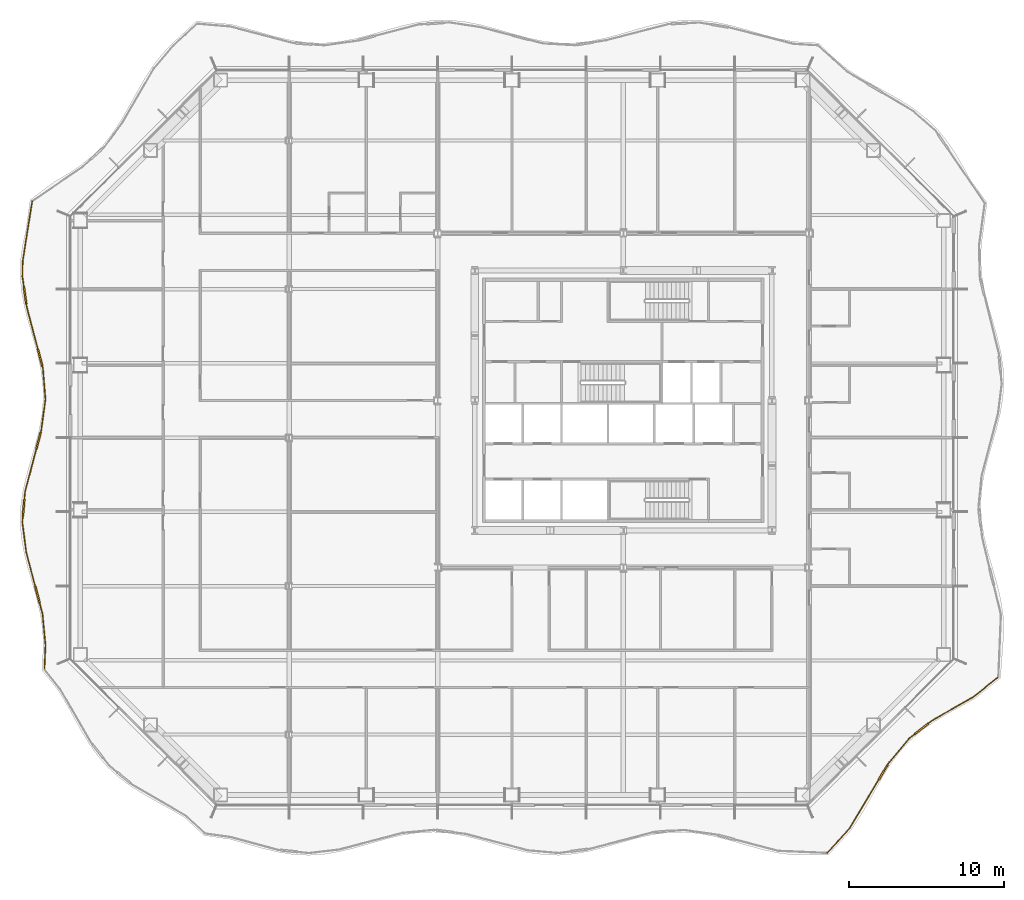
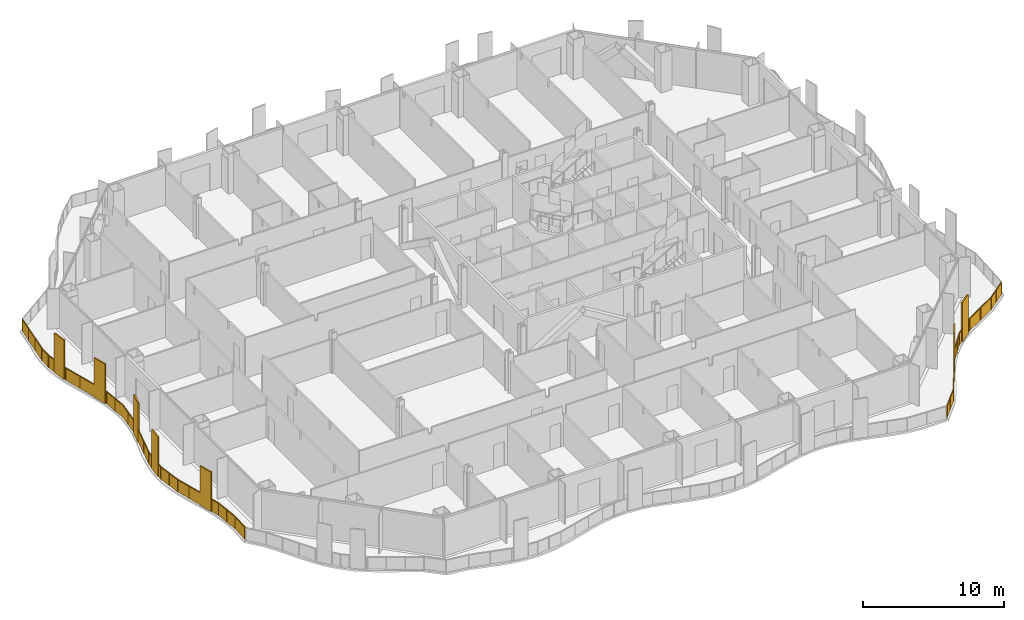
# One storey, part 17 of 21: 2 railings.
"""IFC4 building model written with IfcOpenShell, lengths in metres."""

from ifc_helpers import new_model, si_unit, direction, frame, origin, origin_2d, place, context, subcontext, project, spatial, polyline, rectangle, outline, extrude, material, type_object, element, save


model = new_model("IFC4")

# Units and contexts
model_context = context("Model", 3, precision=1e-05, world=origin(), true_north=direction((0.0, 1.0)))
body_context = subcontext(model_context, "Body", "Model", "MODEL_VIEW")
ifc_project = project(units=[si_unit("LENGTHUNIT", "METRE"), si_unit("AREAUNIT", "SQUARE_METRE"), si_unit("VOLUMEUNIT", "CUBIC_METRE"), si_unit("PLANEANGLEUNIT", "RADIAN"), si_unit("MASSUNIT", "GRAM", prefix="KILO")], contexts=[model_context])

# Site, building, storey
site_placement = place(None, origin())
site = spatial("IfcSite", under=ifc_project, at=site_placement, CompositionType="ELEMENT")
building_placement = place(site_placement, origin())
building = spatial("IfcBuilding", under=site, at=building_placement, Name="Cairn Pilgrim Tower", CompositionType="ELEMENT")
storey_placement = place(building_placement, frame((0.0, 0.0, 69.0)))
storey = spatial("IfcBuildingStorey", under=building, at=storey_placement, Name="L15", CompositionType="ELEMENT", Elevation=69.0)

# Railings
ifc_material = material(Name="Bronze anodised aluminium rail, posts and fin screens with laminated glass infill", Category="aluminium")
railing_type = type_object("IfcRailingType", Name="BALCONY GUARD WITH FIN SCREENS", PredefinedType="GUARDRAIL", material=ifc_material)
railing_1_placement = place(storey_placement, frame((20.37548828125, -26.837890625, 0.0)))
element("IfcRailing", 1, at=railing_1_placement, inside=storey, type_object=railing_type, Name="Balcony guard BGF-2 with fin screens", PredefinedType="GUARDRAIL", context=body_context, shape_type="SweptSolid", body=[
    extrude(rectangle(XDim=0.050048828125, YDim=0.050048828125, at=origin_2d()), frame((0.0, 0.0, 1.0751953125), z_axis=(0.675474937984, 0.737382945393, 0.0), x_axis=(-0.737382945393, 0.675474937984, 0.0)), (0.0, 0.0, 1.0), 2.12548828125),
    extrude(rectangle(XDim=1.10009765625, YDim=0.110107421875, at=origin_2d()), frame((3.609619140625, 5.19921875, 0.0), z_axis=(0.0, 0.0, 1.0), x_axis=(0.51356837374, 0.85804867315, 0.0)), (0.0, 0.0, 1.0), 3.39990234375),
    extrude(rectangle(XDim=0.050048828125, YDim=0.050048828125, at=origin_2d()), frame((1.435791015625, 1.5673828125, 1.0751953125), z_axis=(0.51356837374, 0.85804867315, 0.0), x_axis=(-0.85804867315, 0.51356837374, 0.0)), (0.0, 0.0, 1.0), 3.682861328125),
    extrude(rectangle(XDim=0.050048828125, YDim=0.050048828125, at=origin_2d()), frame((3.89208984375, 5.671142578125, 1.0751953125), z_axis=(0.51356837374, 0.85804867315, 0.0), x_axis=(-0.85804867315, 0.51356837374, 0.0)), (0.0, 0.0, 1.0), 0.212890625),
    extrude(rectangle(XDim=0.050048828125, YDim=0.050048828125, at=origin_2d()), frame((4.00146484375, 5.85400390625, 1.0751953125), z_axis=(0.640779953557, 0.767724593275, 0.0), x_axis=(-0.767724593275, 0.640779953557, 0.0)), (0.0, 0.0, 1.0), 1.97509765625),
    extrude(rectangle(XDim=1.10009765625, YDim=0.110107421875, at=origin_2d()), frame((6.095458984375, 8.01708984375, 0.0), z_axis=(0.0, 0.0, 1.0), x_axis=(0.788256003965, 0.615347440243, 0.0)), (0.0, 0.0, 1.0), 3.39990234375),
    extrude(rectangle(XDim=0.050048828125, YDim=0.050048828125, at=origin_2d()), frame((5.26708984375, 7.370361328125, 1.0751953125), z_axis=(0.788256003965, 0.615347440243, 0.0), x_axis=(-0.615347440243, 0.788256003965, 0.0)), (0.0, 0.0, 1.0), 0.5009765625),
    extrude(rectangle(XDim=0.050048828125, YDim=0.050048828125, at=origin_2d()), frame((6.529052734375, 8.35546875, 1.0751953125), z_axis=(0.788256003965, 0.615347440243, 0.0), x_axis=(-0.615347440243, 0.788256003965, 0.0)), (0.0, 0.0, 1.0), 0.3798828125),
    extrude(rectangle(XDim=0.050048828125, YDim=0.050048828125, at=origin_2d()), frame((6.82861328125, 8.58935546875, 1.0751953125), z_axis=(0.869019215745, 0.494778336901, 0.0), x_axis=(-0.494778336901, 0.869019215745, 0.0)), (0.0, 0.0, 1.0), 3.015869140625),
    extrude(rectangle(XDim=0.050048828125, YDim=0.050048828125, at=origin_2d()), frame((9.449462890625, 10.08154296875, 1.0751953125), z_axis=(0.781215343513, 0.6242616335, 0.0), x_axis=(-0.6242616335, 0.781215343513, 0.0)), (0.0, 0.0, 1.0), 1.99267578125),
    extrude(rectangle(XDim=0.050048828125, YDim=0.050048828125, at=origin_2d()), origin(), (0.0, 0.0, 1.0), 1.050048828125),
    extrude(rectangle(XDim=0.050048828125, YDim=0.050048828125, at=origin_2d()), frame((0.7177734375, 0.78369140625, 0.0)), (0.0, 0.0, 1.0), 1.050048828125),
    extrude(rectangle(XDim=0.050048828125, YDim=0.050048828125, at=origin_2d()), frame((1.435791015625, 1.5673828125, 0.0)), (0.0, 0.0, 1.0), 1.050048828125),
    extrude(rectangle(XDim=0.050048828125, YDim=0.050048828125, at=origin_2d()), frame((2.06201171875, 2.613525390625, 0.0)), (0.0, 0.0, 1.0), 1.050048828125),
    extrude(rectangle(XDim=0.050048828125, YDim=0.050048828125, at=origin_2d()), frame((2.688232421875, 3.65966796875, 0.0)), (0.0, 0.0, 1.0), 1.050048828125),
    extrude(rectangle(XDim=0.050048828125, YDim=0.050048828125, at=origin_2d()), frame((3.314208984375, 4.705810546875, 0.0)), (0.0, 0.0, 1.0), 1.050048828125),
    extrude(rectangle(XDim=0.050048828125, YDim=0.050048828125, at=origin_2d()), frame((3.905029296875, 5.692626953125, 0.0)), (0.0, 0.0, 1.0), 1.050048828125),
    extrude(rectangle(XDim=0.050048828125, YDim=0.050048828125, at=origin_2d()), frame((4.00146484375, 5.85400390625, 0.0)), (0.0, 0.0, 1.0), 1.050048828125),
    extrude(rectangle(XDim=0.050048828125, YDim=0.050048828125, at=origin_2d()), frame((4.63427734375, 6.6123046875, 0.0)), (0.0, 0.0, 1.0), 1.050048828125),
    extrude(rectangle(XDim=0.050048828125, YDim=0.050048828125, at=origin_2d()), frame((5.26708984375, 7.370361328125, 0.0)), (0.0, 0.0, 1.0), 1.050048828125),
    extrude(rectangle(XDim=0.050048828125, YDim=0.050048828125, at=origin_2d()), frame((5.642333984375, 7.663330078125, 0.0)), (0.0, 0.0, 1.0), 1.050048828125),
    extrude(rectangle(XDim=0.050048828125, YDim=0.050048828125, at=origin_2d()), frame((6.548828125, 8.370849609375, 0.0)), (0.0, 0.0, 1.0), 1.050048828125),
    extrude(rectangle(XDim=0.050048828125, YDim=0.050048828125, at=origin_2d()), frame((6.82861328125, 8.58935546875, 0.0)), (0.0, 0.0, 1.0), 1.050048828125),
    extrude(rectangle(XDim=0.050048828125, YDim=0.050048828125, at=origin_2d()), frame((8.13916015625, 9.33544921875, 0.0)), (0.0, 0.0, 1.0), 1.050048828125),
    extrude(rectangle(XDim=0.050048828125, YDim=0.050048828125, at=origin_2d()), frame((9.449462890625, 10.08154296875, 0.0)), (0.0, 0.0, 1.0), 1.050048828125),
    extrude(rectangle(XDim=0.050048828125, YDim=0.050048828125, at=origin_2d()), frame((10.227783203125, 10.70361328125, 0.0)), (0.0, 0.0, 1.0), 1.050048828125),
    extrude(rectangle(XDim=0.050048828125, YDim=0.050048828125, at=origin_2d()), frame((11.006103515625, 11.325439453125, 0.0)), (0.0, 0.0, 1.0), 1.050048828125),
    extrude(outline(polyline([(0.02490234375, 0.0), (1.037841796875, 0.0), (1.037841796875, 1.050048828125), (0.02490234375, 1.050048828125), (0.02490234375, 0.0)])), frame((-0.00439453125, 0.004150390625, 0.0), z_axis=(0.737382945393, -0.675474937984, 0.0), x_axis=(0.675474937984, 0.737382945393, 0.0)), (0.0, 0.0, 1.0), 0.011962890625),
    extrude(outline(polyline([(0.02490234375, 0.0), (1.037841796875, 0.0), (1.037841796875, 1.050048828125), (0.02490234375, 1.050048828125), (0.02490234375, 0.0)])), frame((0.71337890625, 0.787841796875, 0.0), z_axis=(0.737382945393, -0.675474937984, 0.0), x_axis=(0.675474937984, 0.737382945393, 0.0)), (0.0, 0.0, 1.0), 0.011962890625),
    extrude(outline(polyline([(0.02490234375, 0.0), (1.1943359375, 0.0), (1.1943359375, 1.050048828125), (0.02490234375, 1.050048828125), (0.02490234375, 0.0)])), frame((1.4306640625, 1.570556640625, 0.0), z_axis=(0.85804867315, -0.51356837374, 0.0), x_axis=(0.51356837374, 0.85804867315, 0.0)), (0.0, 0.0, 1.0), 0.011962890625),
    extrude(outline(polyline([(0.02490234375, 0.0), (1.1943359375, 0.0), (1.1943359375, 1.050048828125), (0.02490234375, 1.050048828125), (0.02490234375, 0.0)])), frame((2.056884765625, 2.61669921875, 0.0), z_axis=(0.85804867315, -0.51356837374, 0.0), x_axis=(0.51356837374, 0.85804867315, 0.0)), (0.0, 0.0, 1.0), 0.011962890625),
    extrude(outline(polyline([(0.02490234375, 0.0), (1.1943359375, 0.0), (1.1943359375, 1.050048828125), (0.02490234375, 1.050048828125), (0.02490234375, 0.0)])), frame((2.68310546875, 3.662841796875, 0.0), z_axis=(0.85804867315, -0.51356837374, 0.0), x_axis=(0.51356837374, 0.85804867315, 0.0)), (0.0, 0.0, 1.0), 0.011962890625),
    extrude(outline(polyline([(0.02490234375, 0.0), (0.162841796875, 0.0), (0.162841796875, 1.050048828125), (0.02490234375, 1.050048828125), (0.02490234375, 0.0)])), frame((3.89990234375, 5.69580078125, 0.0), z_axis=(0.85804867315, -0.51356837374, 0.0), x_axis=(0.51356837374, 0.85804867315, 0.0)), (0.0, 0.0, 1.0), 0.011962890625),
    extrude(outline(polyline([(0.02490234375, 0.0), (0.962646484375, 0.0), (0.962646484375, 1.050048828125), (0.02490234375, 1.050048828125), (0.02490234375, 0.0)])), frame((3.996826171875, 5.85791015625, 0.0), z_axis=(0.767724593275, -0.640779953557, 0.0), x_axis=(0.640779953557, 0.767724593275, 0.0)), (0.0, 0.0, 1.0), 0.011962890625),
    extrude(outline(polyline([(0.02490234375, 0.0), (0.962646484375, 0.0), (0.962646484375, 1.050048828125), (0.02490234375, 1.050048828125), (0.02490234375, 0.0)])), frame((4.629638671875, 6.615966796875, 0.0), z_axis=(0.767724593275, -0.640779953557, 0.0), x_axis=(0.640779953557, 0.767724593275, 0.0)), (0.0, 0.0, 1.0), 0.011962890625),
    extrude(outline(polyline([(0.02490234375, 0.0), (0.450927734375, 0.0), (0.450927734375, 1.050048828125), (0.02490234375, 1.050048828125), (0.02490234375, 0.0)])), frame((5.263427734375, 7.375, 0.0), z_axis=(0.615347440243, -0.788256003965, 0.0), x_axis=(0.788256003965, 0.615347440243, 0.0)), (0.0, 0.0, 1.0), 0.011962890625),
    extrude(outline(polyline([(0.02490234375, 0.0), (0.329833984375, 0.0), (0.329833984375, 1.050048828125), (0.02490234375, 1.050048828125), (0.02490234375, 0.0)])), frame((6.545166015625, 8.375732421875, 0.0), z_axis=(0.615347440243, -0.788256003965, 0.0), x_axis=(0.788256003965, 0.615347440243, 0.0)), (0.0, 0.0, 1.0), 0.011962890625),
    extrude(outline(polyline([(0.02490234375, 0.0), (1.48291015625, 0.0), (1.48291015625, 1.050048828125), (0.02490234375, 1.050048828125), (0.02490234375, 0.0)])), frame((6.82568359375, 8.594482421875, 0.0), z_axis=(0.494778336901, -0.869019215745, 0.0), x_axis=(0.869019215745, 0.494778336901, 0.0)), (0.0, 0.0, 1.0), 0.011962890625),
    extrude(outline(polyline([(0.02490234375, 0.0), (1.48291015625, 0.0), (1.48291015625, 1.050048828125), (0.02490234375, 1.050048828125), (0.02490234375, 0.0)])), frame((8.135986328125, 9.340576171875, 0.0), z_axis=(0.494778336901, -0.869019215745, 0.0), x_axis=(0.869019215745, 0.494778336901, 0.0)), (0.0, 0.0, 1.0), 0.011962890625),
    extrude(outline(polyline([(0.02490234375, 0.0), (0.97119140625, 0.0), (0.97119140625, 1.050048828125), (0.02490234375, 1.050048828125), (0.02490234375, 0.0)])), frame((9.44580078125, 10.086181640625, 0.0), z_axis=(0.6242616335, -0.781215343513, 0.0), x_axis=(0.781215343513, 0.6242616335, 0.0)), (0.0, 0.0, 1.0), 0.011962890625),
    extrude(outline(polyline([(0.02490234375, 0.0), (0.97119140625, 0.0), (0.97119140625, 1.050048828125), (0.02490234375, 1.050048828125), (0.02490234375, 0.0)])), frame((10.22412109375, 10.708251953125, 0.0), z_axis=(0.6242616335, -0.781215343513, 0.0), x_axis=(0.781215343513, 0.6242616335, 0.0)), (0.0, 0.0, 1.0), 0.011962890625),
])
railing_2_placement = place(storey_placement, frame((-31.0087890625, 15.28466796875, 0.0)))
element("IfcRailing", 2, at=railing_2_placement, inside=storey, type_object=railing_type, Name="Balcony guard BGF-7 with fin screens", PredefinedType="GUARDRAIL", context=body_context, shape_type="SweptSolid", body=[
    extrude(rectangle(XDim=0.050048828125, YDim=0.050048828125, at=origin_2d()), frame((0.0, 0.0, 1.0751953125), z_axis=(-0.156406455903, -0.9876927764, 0.0), x_axis=(0.9876927764, -0.156406455903, 0.0)), (0.0, 0.0, 1.0), 3.92578125),
    extrude(rectangle(XDim=0.050048828125, YDim=0.050048828125, at=origin_2d()), frame((-0.614013671875, -3.87744140625, 1.0751953125), z_axis=(-0.02237307582, -0.999749691412, 0.0), x_axis=(0.999749691412, -0.02237307582, 0.0)), (0.0, 0.0, 1.0), 0.97119140625),
    extrude(rectangle(XDim=1.10009765625, YDim=0.110107421875, at=origin_2d()), frame((-0.4619140625, -6.0927734375, 0.0), z_axis=(0.0, 0.0, 1.0), x_axis=(0.138406514383, -0.990375502916, 0.0)), (0.0, 0.0, 1.0), 3.39990234375),
    extrude(rectangle(XDim=0.050048828125, YDim=0.050048828125, at=origin_2d()), frame((-0.6357421875, -4.848388671875, 1.0751953125), z_axis=(0.138406514383, -0.990375502916, 0.0), x_axis=(0.990375502916, 0.138406514383, 0.0)), (0.0, 0.0, 1.0), 0.70654296875),
    extrude(rectangle(XDim=0.050048828125, YDim=0.050048828125, at=origin_2d()), frame((-0.3857421875, -6.637451171875, 1.0751953125), z_axis=(0.138406514383, -0.990375502916, 0.0), x_axis=(0.990375502916, 0.138406514383, 0.0)), (0.0, 0.0, 1.0), 0.177978515625),
    extrude(rectangle(XDim=1.10009765625, YDim=0.110107421875, at=origin_2d()), frame((0.51025390625, -10.11328125, 0.0), z_axis=(0.0, 0.0, 1.0), x_axis=(0.255323066371, -0.966855796786, 0.0)), (0.0, 0.0, 1.0), 3.39990234375),
    extrude(rectangle(XDim=0.050048828125, YDim=0.050048828125, at=origin_2d()), frame((-0.361083984375, -6.813720703125, 1.0751953125), z_axis=(0.255323066371, -0.966855796786, 0.0), x_axis=(0.966855796786, 0.255323066371, 0.0)), (0.0, 0.0, 1.0), 2.86279296875),
    extrude(rectangle(XDim=0.050048828125, YDim=0.050048828125, at=origin_2d()), frame((0.650634765625, -10.64501953125, 1.0751953125), z_axis=(0.255323066371, -0.966855796786, 0.0), x_axis=(0.966855796786, 0.255323066371, 0.0)), (0.0, 0.0, 1.0), 0.14990234375),
    extrude(rectangle(XDim=0.050048828125, YDim=0.050048828125, at=origin_2d()), frame((0.68896484375, -10.7900390625, 1.0751953125), z_axis=(0.082685844095, -0.99657566255, 0.0), x_axis=(0.99657566255, 0.082685844095, 0.0)), (0.0, 0.0, 1.0), 2.0224609375),
    extrude(rectangle(XDim=0.050048828125, YDim=0.050048828125, at=origin_2d()), frame((0.856201171875, -12.8056640625, 1.0751953125), z_axis=(-0.133148469162, -0.991096102888, 0.0), x_axis=(0.991096102888, -0.133148469162, 0.0)), (0.0, 0.0, 1.0), 2.02978515625),
    extrude(rectangle(XDim=1.10009765625, YDim=0.110107421875, at=origin_2d()), frame((0.406982421875, -15.494140625, 0.0), z_axis=(0.0, 0.0, 1.0), x_axis=(-0.25574873197, -0.966743288622, 0.0)), (0.0, 0.0, 1.0), 3.39990234375),
    extrude(rectangle(XDim=0.050048828125, YDim=0.050048828125, at=origin_2d()), frame((0.5859375, -14.8173828125, 1.0751953125), z_axis=(-0.25574873197, -0.966743288622, 0.0), x_axis=(0.966743288622, -0.25574873197, 0.0)), (0.0, 0.0, 1.0), 0.14990234375),
    extrude(rectangle(XDim=0.050048828125, YDim=0.050048828125, at=origin_2d()), frame((0.266357421875, -16.02587890625, 1.0751953125), z_axis=(-0.25574873197, -0.966743288622, 0.0), x_axis=(0.966743288622, -0.25574873197, 0.0)), (0.0, 0.0, 1.0), 2.855712890625),
    extrude(rectangle(XDim=1.10009765625, YDim=0.110107421875, at=origin_2d()), frame((-0.5556640625, -19.816650390625, 0.0), z_axis=(0.0, 0.0, 1.0), x_axis=(-0.088597323514, -0.996067524953, 0.0)), (0.0, 0.0, 1.0), 3.39990234375),
    extrude(rectangle(XDim=0.050048828125, YDim=0.050048828125, at=origin_2d()), frame((-0.464111328125, -18.78662109375, 1.0751953125), z_axis=(-0.088597323514, -0.996067524953, 0.0), x_axis=(0.996067524953, -0.088597323514, 0.0)), (0.0, 0.0, 1.0), 0.484130859375),
    extrude(rectangle(XDim=0.050048828125, YDim=0.050048828125, at=origin_2d()), frame((-0.6044921875, -20.364501953125, 1.0751953125), z_axis=(-0.088597323514, -0.996067524953, 0.0), x_axis=(0.996067524953, -0.088597323514, 0.0)), (0.0, 0.0, 1.0), 0.380615234375),
    extrude(rectangle(XDim=0.050048828125, YDim=0.050048828125, at=origin_2d()), frame((-0.63818359375, -20.74365234375, 1.0751953125), z_axis=(0.127712676102, -0.991811208024, 0.0), x_axis=(0.991811208024, 0.127712676102, 0.0)), (0.0, 0.0, 1.0), 1.9765625),
    extrude(rectangle(XDim=1.10009765625, YDim=0.110107421875, at=origin_2d()), frame((0.3408203125, -25.446044921875, 0.0), z_axis=(0.0, 0.0, 1.0), x_axis=(0.256132441806, -0.96664169797, 0.0)), (0.0, 0.0, 1.0), 3.39990234375),
    extrude(rectangle(XDim=0.050048828125, YDim=0.050048828125, at=origin_2d()), frame((-0.3857421875, -22.7041015625, 1.0751953125), z_axis=(0.256132441806, -0.96664169797, 0.0), x_axis=(0.96664169797, 0.256132441806, 0.0)), (0.0, 0.0, 1.0), 2.286376953125),
    extrude(rectangle(XDim=0.050048828125, YDim=0.050048828125, at=origin_2d()), frame((0.481689453125, -25.9775390625, 1.0751953125), z_axis=(0.256132441806, -0.96664169797, 0.0), x_axis=(0.96664169797, 0.256132441806, 0.0)), (0.0, 0.0, 1.0), 0.7255859375),
    extrude(rectangle(XDim=0.050048828125, YDim=0.050048828125, at=origin_2d()), frame((0.66748046875, -26.678955078125, 1.0751953125), z_axis=(0.09437513744, -0.995536706221, 0.0), x_axis=(0.995536706221, 0.09437513744, 0.0)), (0.0, 0.0, 1.0), 2.017822265625),
    extrude(rectangle(XDim=0.050048828125, YDim=0.050048828125, at=origin_2d()), frame((0.85791015625, -28.687744140625, 1.0751953125), z_axis=(-0.043292705357, -0.999062431314, 0.0), x_axis=(0.999062431314, -0.043292705357, 0.0)), (0.0, 0.0, 1.0), 1.53955078125),
    extrude(rectangle(XDim=0.050048828125, YDim=0.050048828125, at=origin_2d()), origin(), (0.0, 0.0, 1.0), 1.050048828125),
    extrude(rectangle(XDim=0.050048828125, YDim=0.050048828125, at=origin_2d()), frame((-0.20458984375, -1.29248046875, 0.0)), (0.0, 0.0, 1.0), 1.050048828125),
    extrude(rectangle(XDim=0.050048828125, YDim=0.050048828125, at=origin_2d()), frame((-0.409423828125, -2.5849609375, 0.0)), (0.0, 0.0, 1.0), 1.050048828125),
    extrude(rectangle(XDim=0.050048828125, YDim=0.050048828125, at=origin_2d()), frame((-0.614013671875, -3.87744140625, 0.0)), (0.0, 0.0, 1.0), 1.050048828125),
    extrude(rectangle(XDim=0.050048828125, YDim=0.050048828125, at=origin_2d()), frame((-0.6357421875, -4.848388671875, 0.0)), (0.0, 0.0, 1.0), 1.050048828125),
    extrude(rectangle(XDim=0.050048828125, YDim=0.050048828125, at=origin_2d()), frame((-0.54150390625, -5.5234375, 0.0)), (0.0, 0.0, 1.0), 1.050048828125),
    extrude(rectangle(XDim=0.050048828125, YDim=0.050048828125, at=origin_2d()), frame((-0.38232421875, -6.662353515625, 0.0)), (0.0, 0.0, 1.0), 1.050048828125),
    extrude(rectangle(XDim=0.050048828125, YDim=0.050048828125, at=origin_2d()), frame((-0.361083984375, -6.813720703125, 0.0)), (0.0, 0.0, 1.0), 1.050048828125),
    extrude(rectangle(XDim=0.050048828125, YDim=0.050048828125, at=origin_2d()), frame((0.001220703125, -8.185546875, 0.0)), (0.0, 0.0, 1.0), 1.050048828125),
    extrude(rectangle(XDim=0.050048828125, YDim=0.050048828125, at=origin_2d()), frame((0.363525390625, -9.557373046875, 0.0)), (0.0, 0.0, 1.0), 1.050048828125),
    extrude(rectangle(XDim=0.050048828125, YDim=0.050048828125, at=origin_2d()), frame((0.656982421875, -10.669189453125, 0.0)), (0.0, 0.0, 1.0), 1.050048828125),
    extrude(rectangle(XDim=0.050048828125, YDim=0.050048828125, at=origin_2d()), frame((0.68896484375, -10.7900390625, 0.0)), (0.0, 0.0, 1.0), 1.050048828125),
    extrude(rectangle(XDim=0.050048828125, YDim=0.050048828125, at=origin_2d()), frame((0.7724609375, -11.7978515625, 0.0)), (0.0, 0.0, 1.0), 1.050048828125),
    extrude(rectangle(XDim=0.050048828125, YDim=0.050048828125, at=origin_2d()), frame((0.856201171875, -12.8056640625, 0.0)), (0.0, 0.0, 1.0), 1.050048828125),
    extrude(rectangle(XDim=0.050048828125, YDim=0.050048828125, at=origin_2d()), frame((0.72119140625, -13.8115234375, 0.0)), (0.0, 0.0, 1.0), 1.050048828125),
    extrude(rectangle(XDim=0.050048828125, YDim=0.050048828125, at=origin_2d()), frame((0.5859375, -14.8173828125, 0.0)), (0.0, 0.0, 1.0), 1.050048828125),
    extrude(rectangle(XDim=0.050048828125, YDim=0.050048828125, at=origin_2d()), frame((0.553955078125, -14.938232421875, 0.0)), (0.0, 0.0, 1.0), 1.050048828125),
    extrude(rectangle(XDim=0.050048828125, YDim=0.050048828125, at=origin_2d()), frame((0.259765625, -16.050048828125, 0.0)), (0.0, 0.0, 1.0), 1.050048828125),
    extrude(rectangle(XDim=0.050048828125, YDim=0.050048828125, at=origin_2d()), frame((-0.10205078125, -17.418212890625, 0.0)), (0.0, 0.0, 1.0), 1.050048828125),
    extrude(rectangle(XDim=0.050048828125, YDim=0.050048828125, at=origin_2d()), frame((-0.464111328125, -18.78662109375, 0.0)), (0.0, 0.0, 1.0), 1.050048828125),
    extrude(rectangle(XDim=0.050048828125, YDim=0.050048828125, at=origin_2d()), frame((-0.5048828125, -19.243896484375, 0.0)), (0.0, 0.0, 1.0), 1.050048828125),
    extrude(rectangle(XDim=0.050048828125, YDim=0.050048828125, at=origin_2d()), frame((-0.606689453125, -20.389404296875, 0.0)), (0.0, 0.0, 1.0), 1.050048828125),
    extrude(rectangle(XDim=0.050048828125, YDim=0.050048828125, at=origin_2d()), frame((-0.63818359375, -20.74365234375, 0.0)), (0.0, 0.0, 1.0), 1.050048828125),
    extrude(rectangle(XDim=0.050048828125, YDim=0.050048828125, at=origin_2d()), frame((-0.511962890625, -21.723876953125, 0.0)), (0.0, 0.0, 1.0), 1.050048828125),
    extrude(rectangle(XDim=0.050048828125, YDim=0.050048828125, at=origin_2d()), frame((-0.3857421875, -22.7041015625, 0.0)), (0.0, 0.0, 1.0), 1.050048828125),
    extrude(rectangle(XDim=0.050048828125, YDim=0.050048828125, at=origin_2d()), frame((-0.09619140625, -23.797119140625, 0.0)), (0.0, 0.0, 1.0), 1.050048828125),
    extrude(rectangle(XDim=0.050048828125, YDim=0.050048828125, at=origin_2d()), frame((0.193603515625, -24.89013671875, 0.0)), (0.0, 0.0, 1.0), 1.050048828125),
    extrude(rectangle(XDim=0.050048828125, YDim=0.050048828125, at=origin_2d()), frame((0.488037109375, -26.001708984375, 0.0)), (0.0, 0.0, 1.0), 1.050048828125),
    extrude(rectangle(XDim=0.050048828125, YDim=0.050048828125, at=origin_2d()), frame((0.66748046875, -26.678955078125, 0.0)), (0.0, 0.0, 1.0), 1.050048828125),
    extrude(rectangle(XDim=0.050048828125, YDim=0.050048828125, at=origin_2d()), frame((0.7626953125, -27.683349609375, 0.0)), (0.0, 0.0, 1.0), 1.050048828125),
    extrude(rectangle(XDim=0.050048828125, YDim=0.050048828125, at=origin_2d()), frame((0.85791015625, -28.687744140625, 0.0)), (0.0, 0.0, 1.0), 1.050048828125),
    extrude(rectangle(XDim=0.050048828125, YDim=0.050048828125, at=origin_2d()), frame((0.791259765625, -30.225830078125, 0.0)), (0.0, 0.0, 1.0), 1.050048828125),
    extrude(outline(polyline([(0.02490234375, 0.0), (1.283447265625, 0.0), (1.283447265625, 1.050048828125), (0.02490234375, 1.050048828125), (0.02490234375, 0.0)])), frame((0.005859375, -0.0009765625, 0.0), z_axis=(-0.9876927764, 0.156406455903, 0.0), x_axis=(-0.156406455903, -0.9876927764, 0.0)), (0.0, 0.0, 1.0), 0.011962890625),
    extrude(outline(polyline([(0.02490234375, 0.0), (1.283447265625, 0.0), (1.283447265625, 1.050048828125), (0.02490234375, 1.050048828125), (0.02490234375, 0.0)])), frame((-0.19873046875, -1.29345703125, 0.0), z_axis=(-0.9876927764, 0.156406455903, 0.0), x_axis=(-0.156406455903, -0.9876927764, 0.0)), (0.0, 0.0, 1.0), 0.011962890625),
    extrude(outline(polyline([(0.02490234375, 0.0), (1.283447265625, 0.0), (1.283447265625, 1.050048828125), (0.02490234375, 1.050048828125), (0.02490234375, 0.0)])), frame((-0.4033203125, -2.5859375, 0.0), z_axis=(-0.9876927764, 0.156406455903, 0.0), x_axis=(-0.156406455903, -0.9876927764, 0.0)), (0.0, 0.0, 1.0), 0.011962890625),
    extrude(outline(polyline([(0.02490234375, 0.0), (0.946044921875, 0.0), (0.946044921875, 1.050048828125), (0.02490234375, 1.050048828125), (0.02490234375, 0.0)])), frame((-0.608154296875, -3.877685546875, 0.0), z_axis=(-0.999749691412, 0.02237307582, 0.0), x_axis=(-0.02237307582, -0.999749691412, 0.0)), (0.0, 0.0, 1.0), 0.011962890625),
    extrude(outline(polyline([(0.02490234375, 0.0), (0.656494140625, 0.0), (0.656494140625, 1.050048828125), (0.02490234375, 1.050048828125), (0.02490234375, 0.0)])), frame((-0.6298828125, -4.84765625, 0.0), z_axis=(-0.990375502916, -0.138406514383, 0.0), x_axis=(0.138406514383, -0.990375502916, 0.0)), (0.0, 0.0, 1.0), 0.011962890625),
    extrude(outline(polyline([(0.02490234375, 0.0), (0.1279296875, 0.0), (0.1279296875, 1.050048828125), (0.02490234375, 1.050048828125), (0.02490234375, 0.0)])), frame((-0.376220703125, -6.66162109375, 0.0), z_axis=(-0.990375502916, -0.138406514383, 0.0), x_axis=(0.138406514383, -0.990375502916, 0.0)), (0.0, 0.0, 1.0), 0.011962890625),
    extrude(outline(polyline([(0.02490234375, 0.0), (1.393798828125, 0.0), (1.393798828125, 1.050048828125), (0.02490234375, 1.050048828125), (0.02490234375, 0.0)])), frame((-0.355224609375, -6.812255859375, 0.0), z_axis=(-0.966855796786, -0.255323066371, 0.0), x_axis=(0.255323066371, -0.966855796786, 0.0)), (0.0, 0.0, 1.0), 0.011962890625),
    extrude(outline(polyline([(0.02490234375, 0.0), (1.393798828125, 0.0), (1.393798828125, 1.050048828125), (0.02490234375, 1.050048828125), (0.02490234375, 0.0)])), frame((0.007080078125, -8.18408203125, 0.0), z_axis=(-0.966855796786, -0.255323066371, 0.0), x_axis=(0.255323066371, -0.966855796786, 0.0)), (0.0, 0.0, 1.0), 0.011962890625),
    extrude(outline(polyline([(0.02490234375, 0.0), (0.099853515625, 0.0), (0.099853515625, 1.050048828125), (0.02490234375, 1.050048828125), (0.02490234375, 0.0)])), frame((0.662841796875, -10.667724609375, 0.0), z_axis=(-0.966855796786, -0.255323066371, 0.0), x_axis=(0.255323066371, -0.966855796786, 0.0)), (0.0, 0.0, 1.0), 0.011962890625),
    extrude(outline(polyline([(0.02490234375, 0.0), (0.986328125, 0.0), (0.986328125, 1.050048828125), (0.02490234375, 1.050048828125), (0.02490234375, 0.0)])), frame((0.69482421875, -10.78955078125, 0.0), z_axis=(-0.99657566255, -0.082685844095, 0.0), x_axis=(0.082685844095, -0.99657566255, 0.0)), (0.0, 0.0, 1.0), 0.011962890625),
    extrude(outline(polyline([(0.02490234375, 0.0), (0.986328125, 0.0), (0.986328125, 1.050048828125), (0.02490234375, 1.050048828125), (0.02490234375, 0.0)])), frame((0.778564453125, -11.79736328125, 0.0), z_axis=(-0.99657566255, -0.082685844095, 0.0), x_axis=(0.082685844095, -0.99657566255, 0.0)), (0.0, 0.0, 1.0), 0.011962890625),
    extrude(outline(polyline([(0.02490234375, 0.0), (0.989990234375, 0.0), (0.989990234375, 1.050048828125), (0.02490234375, 1.050048828125), (0.02490234375, 0.0)])), frame((0.862060546875, -12.806396484375, 0.0), z_axis=(-0.991096102888, 0.133148469162, 0.0), x_axis=(-0.133148469162, -0.991096102888, 0.0)), (0.0, 0.0, 1.0), 0.011962890625),
    extrude(outline(polyline([(0.02490234375, 0.0), (0.989990234375, 0.0), (0.989990234375, 1.050048828125), (0.02490234375, 1.050048828125), (0.02490234375, 0.0)])), frame((0.72705078125, -13.812255859375, 0.0), z_axis=(-0.991096102888, 0.133148469162, 0.0), x_axis=(-0.133148469162, -0.991096102888, 0.0)), (0.0, 0.0, 1.0), 0.011962890625),
    extrude(outline(polyline([(0.02490234375, 0.0), (0.099853515625, 0.0), (0.099853515625, 1.050048828125), (0.02490234375, 1.050048828125), (0.02490234375, 0.0)])), frame((0.591796875, -14.81884765625, 0.0), z_axis=(-0.966743288622, 0.25574873197, 0.0), x_axis=(-0.25574873197, -0.966743288622, 0.0)), (0.0, 0.0, 1.0), 0.011962890625),
    extrude(outline(polyline([(0.02490234375, 0.0), (1.390380859375, 0.0), (1.390380859375, 1.050048828125), (0.02490234375, 1.050048828125), (0.02490234375, 0.0)])), frame((0.265625, -16.051513671875, 0.0), z_axis=(-0.966743288622, 0.25574873197, 0.0), x_axis=(-0.25574873197, -0.966743288622, 0.0)), (0.0, 0.0, 1.0), 0.011962890625),
    extrude(outline(polyline([(0.02490234375, 0.0), (1.390380859375, 0.0), (1.390380859375, 1.050048828125), (0.02490234375, 1.050048828125), (0.02490234375, 0.0)])), frame((-0.096435546875, -17.419921875, 0.0), z_axis=(-0.966743288622, 0.25574873197, 0.0), x_axis=(-0.25574873197, -0.966743288622, 0.0)), (0.0, 0.0, 1.0), 0.011962890625),
    extrude(outline(polyline([(0.02490234375, 0.0), (0.43408203125, 0.0), (0.43408203125, 1.050048828125), (0.02490234375, 1.050048828125), (0.02490234375, 0.0)])), frame((-0.458251953125, -18.787109375, 0.0), z_axis=(-0.996067524953, 0.088597323514, 0.0), x_axis=(-0.088597323514, -0.996067524953, 0.0)), (0.0, 0.0, 1.0), 0.011962890625),
    extrude(outline(polyline([(0.02490234375, 0.0), (0.33056640625, 0.0), (0.33056640625, 1.050048828125), (0.02490234375, 1.050048828125), (0.02490234375, 0.0)])), frame((-0.600830078125, -20.389892578125, 0.0), z_axis=(-0.996067524953, 0.088597323514, 0.0), x_axis=(-0.088597323514, -0.996067524953, 0.0)), (0.0, 0.0, 1.0), 0.011962890625),
    extrude(outline(polyline([(0.02490234375, 0.0), (0.96337890625, 0.0), (0.96337890625, 1.050048828125), (0.02490234375, 1.050048828125), (0.02490234375, 0.0)])), frame((-0.63232421875, -20.742919921875, 0.0), z_axis=(-0.991811208024, -0.127712676102, 0.0), x_axis=(0.127712676102, -0.991811208024, 0.0)), (0.0, 0.0, 1.0), 0.011962890625),
    extrude(outline(polyline([(0.02490234375, 0.0), (0.96337890625, 0.0), (0.96337890625, 1.050048828125), (0.02490234375, 1.050048828125), (0.02490234375, 0.0)])), frame((-0.506103515625, -21.72314453125, 0.0), z_axis=(-0.991811208024, -0.127712676102, 0.0), x_axis=(0.127712676102, -0.991811208024, 0.0)), (0.0, 0.0, 1.0), 0.011962890625),
    extrude(outline(polyline([(0.02490234375, 0.0), (1.105712890625, 0.0), (1.105712890625, 1.050048828125), (0.02490234375, 1.050048828125), (0.02490234375, 0.0)])), frame((-0.3798828125, -22.70263671875, 0.0), z_axis=(-0.96664169797, -0.256132441806, 0.0), x_axis=(0.256132441806, -0.96664169797, 0.0)), (0.0, 0.0, 1.0), 0.011962890625),
    extrude(outline(polyline([(0.02490234375, 0.0), (1.105712890625, 0.0), (1.105712890625, 1.050048828125), (0.02490234375, 1.050048828125), (0.02490234375, 0.0)])), frame((-0.09033203125, -23.795654296875, 0.0), z_axis=(-0.96664169797, -0.256132441806, 0.0), x_axis=(0.256132441806, -0.96664169797, 0.0)), (0.0, 0.0, 1.0), 0.011962890625),
    extrude(outline(polyline([(0.02490234375, 0.0), (0.675537109375, 0.0), (0.675537109375, 1.050048828125), (0.02490234375, 1.050048828125), (0.02490234375, 0.0)])), frame((0.493896484375, -26.000244140625, 0.0), z_axis=(-0.96664169797, -0.256132441806, 0.0), x_axis=(0.256132441806, -0.96664169797, 0.0)), (0.0, 0.0, 1.0), 0.011962890625),
    extrude(outline(polyline([(0.02490234375, 0.0), (0.98388671875, 0.0), (0.98388671875, 1.050048828125), (0.02490234375, 1.050048828125), (0.02490234375, 0.0)])), frame((0.67333984375, -26.678466796875, 0.0), z_axis=(-0.995536706221, -0.09437513744, 0.0), x_axis=(0.09437513744, -0.995536706221, 0.0)), (0.0, 0.0, 1.0), 0.011962890625),
    extrude(outline(polyline([(0.02490234375, 0.0), (0.98388671875, 0.0), (0.98388671875, 1.050048828125), (0.02490234375, 1.050048828125), (0.02490234375, 0.0)])), frame((0.7685546875, -27.682861328125, 0.0), z_axis=(-0.995536706221, -0.09437513744, 0.0), x_axis=(0.09437513744, -0.995536706221, 0.0)), (0.0, 0.0, 1.0), 0.011962890625),
    extrude(outline(polyline([(0.02490234375, 0.0), (1.514404296875, 0.0), (1.514404296875, 1.050048828125), (0.02490234375, 1.050048828125), (0.02490234375, 0.0)])), frame((0.86376953125, -28.68798828125, 0.0), z_axis=(-0.999062431314, 0.043292705357, 0.0), x_axis=(-0.043292705357, -0.999062431314, 0.0)), (0.0, 0.0, 1.0), 0.011962890625),
])

save(model, "model.ifc")
